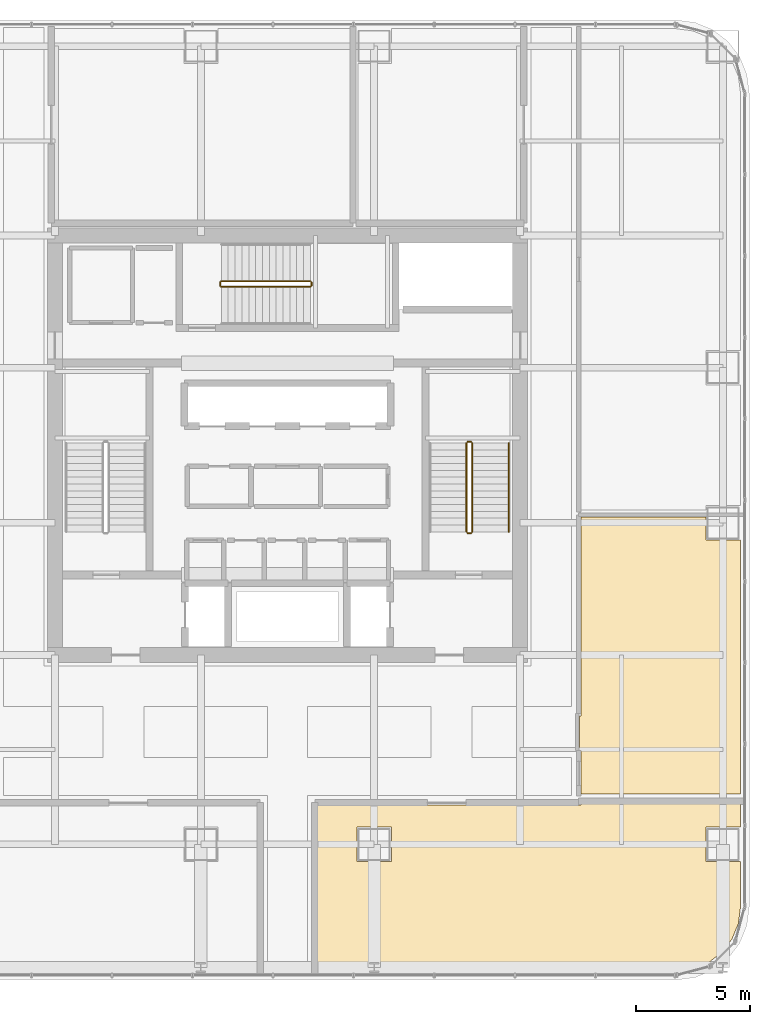
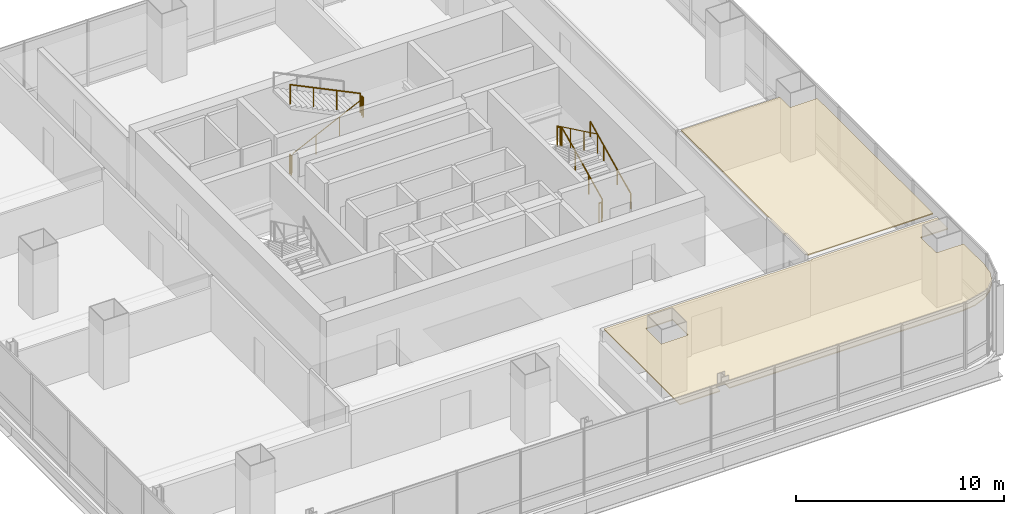
# One storey, part 35 of 36: 9 railings, 2 coverings.
"""IFC4 building model written with IfcOpenShell, lengths in metres."""

from ifc_helpers import new_model, si_unit, direction, frame, origin, origin_2d, place, context, subcontext, project, spatial, polyline, circle, outline, extrude, material, layer, layer_set, type_object, element, save


model = new_model("IFC4")

# Units and contexts
model_context = context("Model", 3, precision=1e-05, world=origin(), true_north=direction((0.0, 1.0)))
body_context = subcontext(model_context, "Body", "Model", "MODEL_VIEW")
ifc_project = project(units=[si_unit("LENGTHUNIT", "METRE"), si_unit("AREAUNIT", "SQUARE_METRE"), si_unit("VOLUMEUNIT", "CUBIC_METRE"), si_unit("PLANEANGLEUNIT", "RADIAN"), si_unit("MASSUNIT", "GRAM", prefix="KILO")], contexts=[model_context])

# Site, building, storey
site_placement = place(None, origin())
site = spatial("IfcSite", under=ifc_project, at=site_placement, CompositionType="ELEMENT")
building_placement = place(site_placement, origin())
building = spatial("IfcBuilding", under=site, at=building_placement, Name="Punatoya Terracotta Tower", CompositionType="ELEMENT")
storey_placement = place(building_placement, frame((0.0, 0.0, 196.5)))
storey = spatial("IfcBuildingStorey", under=building, at=storey_placement, Name="L46", CompositionType="ELEMENT", Elevation=196.5)

# Coverings
ifc_material_1 = material(Name="Acoustic Mineral Fibre Ceiling")
ifc_layer = layer(ifc_material_1, 0.06005859375)
ifc_layer_set = layer_set([ifc_layer], Name="Acoustic Mineral Fibre Ceiling")
covering_type = type_object("IfcCoveringType", Name="COV-CEIL-60", PredefinedType="CEILING", material=ifc_layer_set)
covering_1_placement = place(storey_placement, frame((0.0, 0.0, 3.219970703125)))
element("IfcCovering", 1, at=covering_1_placement, inside=storey, type_object=covering_type, Name="L46 Open-Plan Executive Bistro Lounge Acoustic Ceiling", PredefinedType="CEILING", context=body_context, shape_type="SweptSolid", body=[
    extrude(outline(polyline([(12.8701171875, -15.77001953125), (1.300048828125, -15.77001953125), (1.300048828125, -23.070068359375), (3.54541015625, -23.070068359375), (3.54541015625, -22.637451171875), (4.054443359375, -22.637451171875), (4.054443359375, -23.070068359375), (17.025146484375, -23.070068359375), (17.779052734375, -22.970703125), (18.458251953125, -22.689453125), (19.041748046875, -22.24169921875), (19.489501953125, -21.658203125), (19.770751953125, -20.97900390625), (19.8701171875, -20.22509765625), (19.8701171875, -18.25), (18.35009765625, -18.25), (18.35009765625, -16.75), (19.8701171875, -16.75), (19.8701171875, -15.7099609375), (12.8701171875, -15.7099609375), (12.8701171875, -15.77001953125)]), holes=[polyline([(4.550048828125, -16.75), (4.550048828125, -18.25), (3.050048828125, -18.25), (3.050048828125, -16.75), (4.550048828125, -16.75)])]), origin(), (0.0, 0.0, 1.0), 0.06005859375),
])
covering_2_placement = place(storey_placement, frame((0.0, 0.0, 3.219970703125)))
element("IfcCovering", 2, at=covering_2_placement, inside=storey, type_object=covering_type, Name="L46 Open-Plan Catering Tea Pantry Acoustic Ceiling", PredefinedType="CEILING", context=body_context, shape_type="SweptSolid", body=[
    extrude(outline(polyline([(12.81005859375, -13.280029296875), (12.8701171875, -13.280029296875), (12.8701171875, -15.2900390625), (19.8701171875, -15.2900390625), (19.8701171875, -4.14990234375), (18.35009765625, -4.14990234375), (18.35009765625, -3.154052734375), (12.8701171875, -3.154052734375), (12.8701171875, -11.8701171875), (12.81005859375, -11.8701171875), (12.81005859375, -13.280029296875)])), origin(), (0.0, 0.0, 1.0), 0.06005859375),
])

# Railings
ifc_material_2 = material(Name="Steel S355", Category="steel")
railing_type_1 = type_object("IfcRailingType", Name="RLG-GRD-1150", PredefinedType="GUARDRAIL", material=ifc_material_2)
railing_1_placement = place(storey_placement, frame((8.10009765625, -3.800048828125, 0.14453125)))
element("IfcRailing", 3, at=railing_1_placement, inside=storey, type_object=railing_type_1, Name="L46 ST-2 stair guard 1", PredefinedType="GUARDRAIL", context=body_context, shape_type="SweptSolid", body=[
    extrude(circle(Radius=0.02392578125, at=origin_2d()), frame((0.0, 0.0, 1.1259765625), z_axis=(0.0, 0.900773802044, 0.434288564841), x_axis=(-1.0, 0.0, 0.0)), (0.0, 0.0, 1.0), 4.329833984375),
    extrude(circle(Radius=0.02099609375, at=origin_2d()), origin(), (0.0, 0.0, 1.0), 1.101806640625),
    extrude(circle(Radius=0.02099609375, at=origin_2d()), frame((0.0, 1.300048828125, 0.626708984375)), (0.0, 0.0, 1.0), 1.101806640625),
    extrude(circle(Radius=0.02099609375, at=origin_2d()), frame((0.0, 2.60009765625, 1.253662109375)), (0.0, 0.0, 1.0), 1.101806640625),
    extrude(circle(Radius=0.02099609375, at=origin_2d()), frame((0.0, 3.900146484375, 1.88037109375)), (0.0, 0.0, 1.0), 1.101806640625),
])
railing_2_placement = place(storey_placement, frame((8.050048828125, 0.14990234375, 2.02490234375)))
element("IfcRailing", 4, at=railing_2_placement, inside=storey, type_object=railing_type_1, Name="L46 ST-2 stair guard 2", PredefinedType="GUARDRAIL", context=body_context, shape_type="SweptSolid", body=[
    extrude(circle(Radius=0.02392578125, at=origin_2d()), frame((0.0, 0.0, 1.1259765625), z_axis=(-1.0, 0.0, 0.0), x_axis=(0.0, -1.0, 0.0)), (0.0, 0.0, 1.0), 0.150146484375),
    extrude(circle(Radius=0.02099609375, at=origin_2d()), origin(), (0.0, 0.0, 1.0), 1.101806640625),
    extrude(circle(Radius=0.02099609375, at=origin_2d()), frame((-0.150146484375, 0.0, 0.0)), (0.0, 0.0, 1.0), 1.101806640625),
])
railing_3_placement = place(storey_placement, frame((7.85009765625, 0.10009765625, 2.169677734375)))
element("IfcRailing", 5, at=railing_3_placement, inside=storey, type_object=railing_type_1, Name="L46 ST-2 stair guard 3", PredefinedType="GUARDRAIL", context=body_context, shape_type="SweptSolid", body=[
    extrude(circle(Radius=0.02392578125, at=origin_2d()), frame((0.0, 0.0, 1.1259765625), z_axis=(0.0, -0.900773802044, 0.434288564841), x_axis=(1.0, 0.0, 0.0)), (0.0, 0.0, 1.0), 4.329833984375),
    extrude(circle(Radius=0.02099609375, at=origin_2d()), origin(), (0.0, 0.0, 1.0), 1.101806640625),
    extrude(circle(Radius=0.02099609375, at=origin_2d()), frame((0.0, -1.300048828125, 0.626708984375)), (0.0, 0.0, 1.0), 1.101806640625),
    extrude(circle(Radius=0.02099609375, at=origin_2d()), frame((0.0, -2.60009765625, 1.253662109375)), (0.0, 0.0, 1.0), 1.101806640625),
    extrude(circle(Radius=0.02099609375, at=origin_2d()), frame((0.0, -3.900146484375, 1.88037109375)), (0.0, 0.0, 1.0), 1.101806640625),
])
railing_4_placement = place(storey_placement, frame((8.050048828125, -3.85009765625, 0.0)))
element("IfcRailing", 6, at=railing_4_placement, inside=storey, type_object=railing_type_1, Name="L46 ST-2 stair guard 4", PredefinedType="GUARDRAIL", context=body_context, shape_type="SweptSolid", body=[
    extrude(circle(Radius=0.02392578125, at=origin_2d()), frame((0.0, 0.0, 1.1259765625), z_axis=(-1.0, 0.0, 0.0), x_axis=(0.0, -1.0, 0.0)), (0.0, 0.0, 1.0), 0.150146484375),
    extrude(circle(Radius=0.02099609375, at=origin_2d()), origin(), (0.0, 0.0, 1.0), 1.101806640625),
    extrude(circle(Radius=0.02099609375, at=origin_2d()), frame((-0.150146484375, 0.0, 0.0)), (0.0, 0.0, 1.0), 1.101806640625),
])
railing_5_placement = place(storey_placement, frame((-2.89990234375, 6.949951171875, 0.14453125)))
element("IfcRailing", 7, at=railing_5_placement, inside=storey, type_object=railing_type_1, Name="L46 ST-3 stair guard 1", PredefinedType="GUARDRAIL", context=body_context, shape_type="SweptSolid", body=[
    extrude(circle(Radius=0.02392578125, at=origin_2d()), frame((0.0, 0.0, 1.1259765625), z_axis=(0.900763166376, 0.0, 0.434310623978), x_axis=(0.0, 1.0, 0.0)), (0.0, 0.0, 1.0), 4.32958984375),
    extrude(circle(Radius=0.02099609375, at=origin_2d()), origin(), (0.0, 0.0, 1.0), 1.101806640625),
    extrude(circle(Radius=0.02099609375, at=origin_2d()), frame((1.300048828125, 0.0, 0.626708984375)), (0.0, 0.0, 1.0), 1.101806640625),
    extrude(circle(Radius=0.02099609375, at=origin_2d()), frame((2.599853515625, 0.0, 1.253662109375)), (0.0, 0.0, 1.0), 1.101806640625),
    extrude(circle(Radius=0.02099609375, at=origin_2d()), frame((3.89990234375, 0.0, 1.88037109375)), (0.0, 0.0, 1.0), 1.101806640625),
])
railing_6_placement = place(storey_placement, frame((1.050048828125, 7.0, 2.02490234375)))
element("IfcRailing", 8, at=railing_6_placement, inside=storey, type_object=railing_type_1, Name="L46 ST-3 stair guard 2", PredefinedType="GUARDRAIL", context=body_context, shape_type="SweptSolid", body=[
    extrude(circle(Radius=0.02392578125, at=origin_2d()), frame((0.0, 0.0, 1.1259765625), z_axis=(0.0, 1.0, 0.0), x_axis=(-1.0, 0.0, 0.0)), (0.0, 0.0, 1.0), 0.14990234375),
    extrude(circle(Radius=0.02099609375, at=origin_2d()), origin(), (0.0, 0.0, 1.0), 1.101806640625),
    extrude(circle(Radius=0.02099609375, at=origin_2d()), frame((0.0, 0.14990234375, 0.0)), (0.0, 0.0, 1.0), 1.101806640625),
])
railing_7_placement = place(storey_placement, frame((1.0, 7.199951171875, 2.169677734375)))
element("IfcRailing", 9, at=railing_7_placement, inside=storey, type_object=railing_type_1, Name="L46 ST-3 stair guard 3", PredefinedType="GUARDRAIL", context=body_context, shape_type="SweptSolid", body=[
    extrude(circle(Radius=0.02392578125, at=origin_2d()), frame((0.0, 0.0, 1.1259765625), z_axis=(-0.900763166376, 0.0, 0.434310623978), x_axis=(0.0, -1.0, 0.0)), (0.0, 0.0, 1.0), 4.32958984375),
    extrude(circle(Radius=0.02099609375, at=origin_2d()), origin(), (0.0, 0.0, 1.0), 1.101806640625),
    extrude(circle(Radius=0.02099609375, at=origin_2d()), frame((-1.300048828125, 0.0, 0.626708984375)), (0.0, 0.0, 1.0), 1.101806640625),
    extrude(circle(Radius=0.02099609375, at=origin_2d()), frame((-2.599853515625, 0.0, 1.253662109375)), (0.0, 0.0, 1.0), 1.101806640625),
    extrude(circle(Radius=0.02099609375, at=origin_2d()), frame((-3.89990234375, 0.0, 1.88037109375)), (0.0, 0.0, 1.0), 1.101806640625),
])
railing_8_placement = place(storey_placement, frame((-2.949951171875, 7.0, 0.0)))
element("IfcRailing", 10, at=railing_8_placement, inside=storey, type_object=railing_type_1, Name="L46 ST-3 stair guard 4", PredefinedType="GUARDRAIL", context=body_context, shape_type="SweptSolid", body=[
    extrude(circle(Radius=0.02392578125, at=origin_2d()), frame((0.0, 0.0, 1.1259765625), z_axis=(0.0, 1.0, 0.0), x_axis=(-1.0, 0.0, 0.0)), (0.0, 0.0, 1.0), 0.14990234375),
    extrude(circle(Radius=0.02099609375, at=origin_2d()), origin(), (0.0, 0.0, 1.0), 1.101806640625),
    extrude(circle(Radius=0.02099609375, at=origin_2d()), frame((0.0, 0.14990234375, 0.0)), (0.0, 0.0, 1.0), 1.101806640625),
])
railing_type_2 = type_object("IfcRailingType", Name="RLG-HND-900", PredefinedType="HANDRAIL", material=ifc_material_2)
railing_9_placement = place(storey_placement, frame((9.699951171875, -3.800048828125, 0.14453125)))
element("IfcRailing", 11, at=railing_9_placement, inside=storey, type_object=railing_type_2, Name="L46 ST-2 stair handrail 1", PredefinedType="HANDRAIL", context=body_context, shape_type="SweptSolid", body=[
    extrude(circle(Radius=0.02392578125, at=origin_2d()), frame((0.0, 0.0, 0.8759765625), z_axis=(0.0, 0.900773802044, 0.434288564841), x_axis=(-1.0, 0.0, 0.0)), (0.0, 0.0, 1.0), 4.329833984375),
    extrude(circle(Radius=0.02099609375, at=origin_2d()), origin(), (0.0, 0.0, 1.0), 0.851806640625),
    extrude(circle(Radius=0.02099609375, at=origin_2d()), frame((0.0, 1.300048828125, 0.626708984375)), (0.0, 0.0, 1.0), 0.851806640625),
    extrude(circle(Radius=0.02099609375, at=origin_2d()), frame((0.0, 2.60009765625, 1.253662109375)), (0.0, 0.0, 1.0), 0.851806640625),
    extrude(circle(Radius=0.02099609375, at=origin_2d()), frame((0.0, 3.900146484375, 1.88037109375)), (0.0, 0.0, 1.0), 0.851806640625),
])

save(model, "model.ifc")
